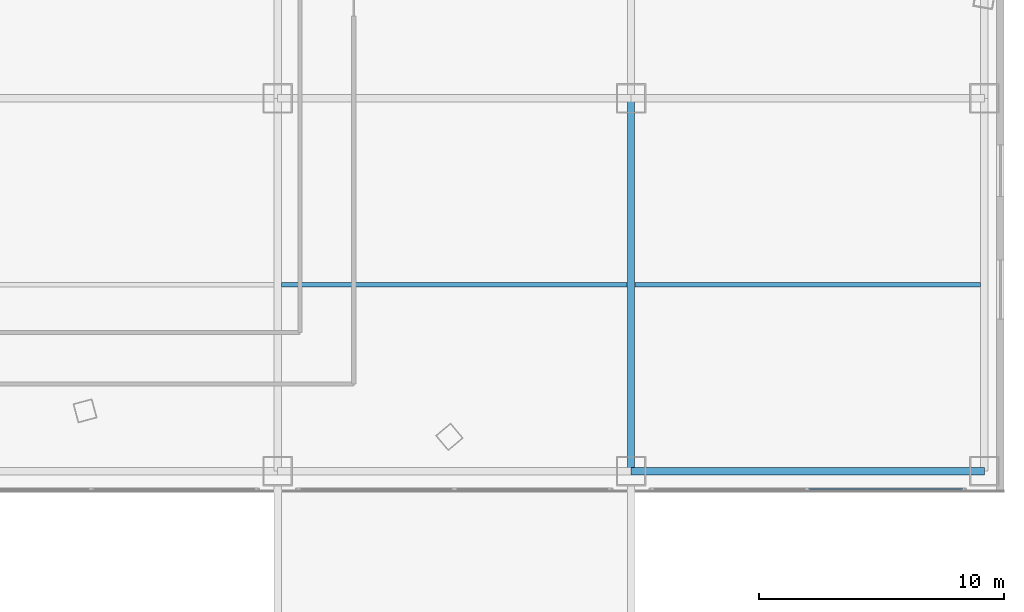
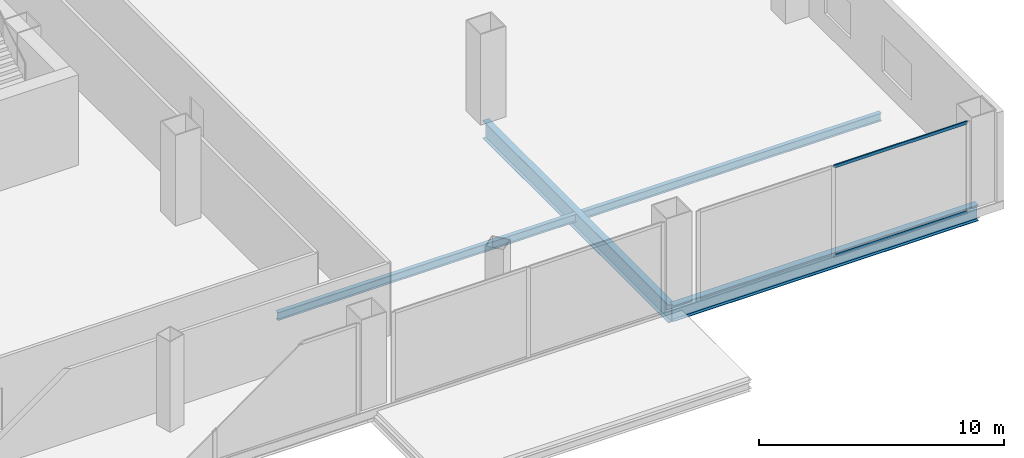
# One storey, part 15 of 42: 4 beams, 2 members, 1 element without a shape of its own.
"""IFC4 building model written with IfcOpenShell, lengths in metres."""

from ifc_helpers import new_model, si_unit, direction, frame, origin, origin_2d, place, context, subcontext, project, spatial, hollow_rectangle, i_section, extrude, source, transform, mapped, material, layer, layer_set, material_profile, profile_set, type_object, element, aggregate, save


model = new_model("IFC4")

# Units and contexts
model_context = context("Model", 3, precision=1e-05, world=origin(), true_north=direction((0.0, 1.0)))
body_context = subcontext(model_context, "Body", "Model", "MODEL_VIEW")
ifc_project = project(units=[si_unit("LENGTHUNIT", "METRE"), si_unit("AREAUNIT", "SQUARE_METRE"), si_unit("VOLUMEUNIT", "CUBIC_METRE"), si_unit("PLANEANGLEUNIT", "RADIAN"), si_unit("MASSUNIT", "GRAM", prefix="KILO"), si_unit("THERMODYNAMICTEMPERATUREUNIT", "KELVIN"), si_unit("POWERUNIT", "WATT")], contexts=[model_context])

# Site, building, storey
site_placement = place(None, origin())
site = spatial("IfcSite", under=ifc_project, at=site_placement, CompositionType="ELEMENT")
building_placement = place(site_placement, origin())
building = spatial("IfcBuilding", under=site, at=building_placement, Name="Yunzhuo Pagoda Commons", CompositionType="ELEMENT")
storey_placement = place(building_placement, frame((0.0, 0.0, 4.800048828125)))
storey = spatial("IfcBuildingStorey", under=building, at=storey_placement, Name="L02", CompositionType="ELEMENT", Elevation=4.800048828125)

# Beams
ifc_material_1 = material(Name="Structural steel Q355B", Category="steel")
ifc_material_profile_1 = material_profile(ifc_material_1, i_section(OverallWidth=0.300048828125, OverallDepth=0.800048828125, WebThickness=0.013916015625, FlangeThickness=0.02587890625, at=origin_2d()), Name="Structural steel Q355B")
ifc_profile_set_1 = profile_set([ifc_material_profile_1], Name="Structural steel Q355B")
beam_type_1 = type_object("IfcBeamType", Name="B-PD2 Beam HN 800x300x14x26", PredefinedType="BEAM", material=ifc_profile_set_1)
shared_shape_1 = source(origin(), body_context, "Body", "SweptSolid", [
    extrude(i_section(OverallWidth=0.300048828125, OverallDepth=0.800048828125, WebThickness=0.013916015625, FlangeThickness=0.02587890625, at=origin_2d()), origin(), (0.0, 0.0, 1.0), 14.39990234375),
])
beam_1_placement = place(storey_placement, frame((76.800048828125, 6.800048828125, -0.679931640625), z_axis=(1.0, 0.0, 0.0), x_axis=(0.0, 1.0, 0.0)))
element("IfcBeam", 1, at=beam_1_placement, inside=storey, type_object=beam_type_1, Name="L02 podium girder EW 1.5", PredefinedType="BEAM", context=body_context, shape_type="MappedRepresentation", body=[
    mapped(shared_shape_1, transform((0.0, 0.0, 0.0), scale=1.0)),
])
ifc_material_profile_2 = material_profile(ifc_material_1, i_section(OverallWidth=0.199951171875, OverallDepth=0.39990234375, WebThickness=0.008056640625, FlangeThickness=0.012939453125, at=origin_2d()), Name="Structural steel Q355B")
ifc_profile_set_2 = profile_set([ifc_material_profile_2], Name="Structural steel Q355B")
beam_type_2 = type_object("IfcBeamType", Name="B-JS1 Joist HN 400x200x8x13", PredefinedType="JOIST", material=ifc_profile_set_2)
shared_shape_2 = source(origin(), body_context, "Body", "SweptSolid", [
    extrude(i_section(OverallWidth=0.199951171875, OverallDepth=0.39990234375, WebThickness=0.008056640625, FlangeThickness=0.012939453125, at=origin_2d()), origin(), (0.0, 0.0, 1.0), 14.08984375),
])
beam_2_placement = place(storey_placement, frame((76.955078125, 14.39990234375, -0.47998046875), z_axis=(1.0, 0.0, 0.0), x_axis=(0.0, 1.0, 0.0)))
element("IfcBeam", 2, at=beam_2_placement, inside=storey, type_object=beam_type_2, Name="L02 podium composite joist 5.1", PredefinedType="JOIST", context=body_context, shape_type="MappedRepresentation", body=[
    mapped(shared_shape_2, transform((0.0, 0.0, 0.0), scale=1.0)),
])
ifc_material_profile_3 = material_profile(ifc_material_1, i_section(OverallWidth=0.300048828125, OverallDepth=0.89990234375, WebThickness=0.01611328125, FlangeThickness=0.028076171875, at=origin_2d()), Name="Structural steel Q355B")
ifc_profile_set_3 = profile_set([ifc_material_profile_3], Name="Structural steel Q355B")
beam_type_3 = type_object("IfcBeamType", Name="B-PD1 Beam HN 900x300x16x28", PredefinedType="BEAM", material=ifc_profile_set_3)
shared_shape_3 = source(origin(), body_context, "Body", "SweptSolid", [
    extrude(i_section(OverallWidth=0.300048828125, OverallDepth=0.89990234375, WebThickness=0.01611328125, FlangeThickness=0.028076171875, at=origin_2d()), origin(), (0.0, 0.0, 1.0), 15.199951171875),
])
beam_3_placement = place(storey_placement, frame((76.800048828125, 6.800048828125, -0.72998046875), z_axis=(0.0, 1.0, 0.0), x_axis=(-1.0, 0.0, 0.0)))
element("IfcBeam", 3, at=beam_3_placement, inside=storey, type_object=beam_type_3, Name="L02 podium girder NS 5.1", PredefinedType="BEAM", context=body_context, shape_type="MappedRepresentation", body=[
    mapped(shared_shape_3, transform((0.0, 0.0, 0.0), scale=1.0)),
])
shared_shape_4 = source(origin(), body_context, "Body", "SweptSolid", [
    extrude(i_section(OverallWidth=0.199951171875, OverallDepth=0.39990234375, WebThickness=0.008056640625, FlangeThickness=0.012939453125, at=origin_2d()), origin(), (0.0, 0.0, 1.0), 14.09033203125),
])
beam_4_placement = place(storey_placement, frame((62.554931640625, 14.39990234375, -0.47998046875), z_axis=(1.0, 0.0, 0.0), x_axis=(0.0, 1.0, 0.0)))
element("IfcBeam", 4, at=beam_4_placement, inside=storey, type_object=beam_type_2, Name="L02 podium composite joist 4.1", PredefinedType="JOIST", context=body_context, shape_type="MappedRepresentation", body=[
    mapped(shared_shape_4, transform((0.0, 0.0, 0.0), scale=1.0)),
])

# Curtain wall, members
ifc_material_2 = material(Name="Anodized aluminium 6063-T6", Category="aluminium")
ifc_layer = layer(ifc_material_2, 0.179931640625)
ifc_layer_set = layer_set([ifc_layer], Name="Anodized aluminium 6063-T6")
curtain_wall_type = type_object("IfcCurtainWallType", Name="CW-POD Waterfront Podium Curtain Wall", PredefinedType="NOTDEFINED", material=ifc_layer_set)
curtain_wall_placement = place(storey_placement, origin())
curtain_wall = element("IfcCurtainWall", 5, at=curtain_wall_placement, inside=storey, type_object=curtain_wall_type, Name="L02 curtain wall CW-L02-S5", PredefinedType="NOTDEFINED")
ifc_material_profile_4 = material_profile(ifc_material_2, hollow_rectangle(XDim=0.06005859375, YDim=0.14990234375, WallThickness=0.00390625, at=origin_2d()), Name="Anodized aluminium 6063-T6")
ifc_profile_set_4 = profile_set([ifc_material_profile_4], Name="Anodized aluminium 6063-T6")
member_type = type_object("IfcMemberType", Name="CW-POD-T Transom RHS 150x60x4", PredefinedType="USERDEFINED", material=ifc_profile_set_4)
shared_shape_5 = source(origin(), body_context, "Body", "SweptSolid", [
    extrude(hollow_rectangle(XDim=0.06005859375, YDim=0.14990234375, WallThickness=0.00390625, at=origin_2d()), origin(), (0.0, 0.0, 1.0), 6.302490234375),
])
member_1_placement = place(storey_placement, frame((84.032470703125, 6.080078125, 0.030029296875), z_axis=(1.0, 0.0, 0.0), x_axis=(0.0, 1.0, 0.0)))
member_1 = element("IfcMember", 6, at=member_1_placement, type_object=member_type, Name="CW transom 2.1", ObjectType="TRANSOM", PredefinedType="USERDEFINED", context=body_context, shape_type="MappedRepresentation", body=[
    mapped(shared_shape_5, transform((0.0, 0.0, 0.0), scale=1.0)),
])
member_2_placement = place(storey_placement, frame((84.032470703125, 6.080078125, 4.489990234375), z_axis=(1.0, 0.0, 0.0), x_axis=(0.0, 1.0, 0.0)))
member_2 = element("IfcMember", 7, at=member_2_placement, type_object=member_type, Name="CW transom 2.2", ObjectType="TRANSOM", PredefinedType="USERDEFINED", context=body_context, shape_type="MappedRepresentation", body=[
    mapped(shared_shape_5, transform((0.0, 0.0, 0.0), scale=1.0)),
])
aggregate(curtain_wall, [member_1, member_2])

save(model, "model.ifc")
